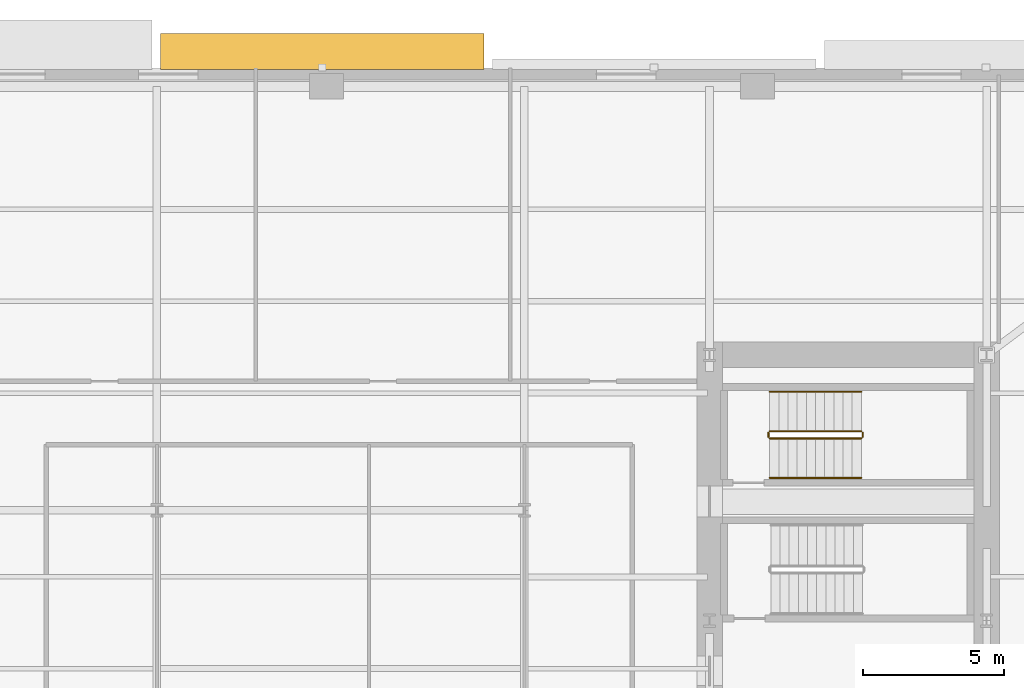
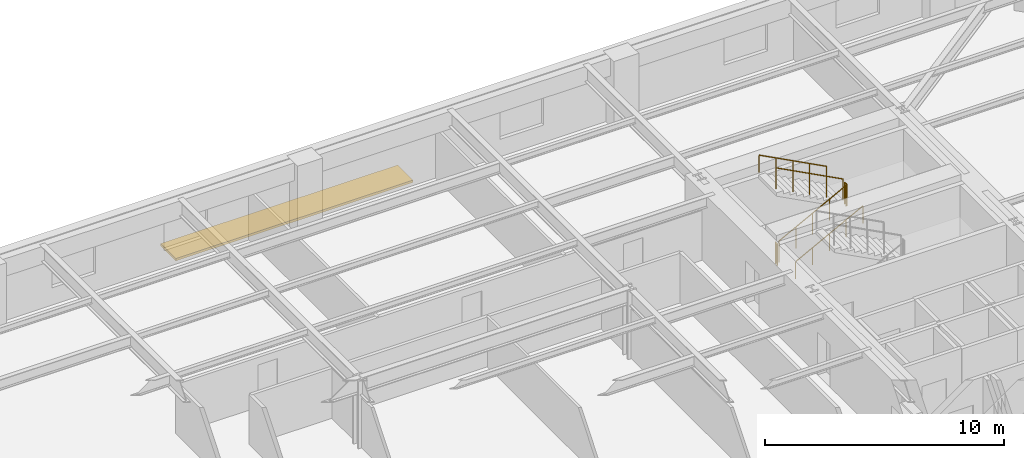
# One storey, part 14 of 15: 6 railings, 1 shading device.
"""IFC4 building model written with IfcOpenShell, lengths in metres."""

import ifcopenshell
import ifcopenshell.guid

model = None  # the IFC model being written
_history = None  # IfcOwnerHistory: only IFC2X3 demands one
_inside = {}  # id of a spatial element -> (the spatial element, [elements in it])
_under = {}  # id of a project, library or spatial element -> (it, [spatial elements below it])
_declared = {}  # id of a project -> (the project, [libraries it declares])
_typed = {}  # id of a type object -> (the type object, [elements of that type])
_made_of = {}  # id of a material, layer set ... -> (it, [elements and type objects made of it])


def new_model(schema):
    """Start an empty IFC model of exactly this schema.

    Asked for "IFC4X3", IfcOpenShell would pick the latest addendum, in which some entities
    have other attributes; the version numbers below select the first issue.
    IFC2X3 requires an IfcOwnerHistory on every rooted entity: one is made here for all.
    """
    global model, _history
    if schema == "IFC4X3":
        model = ifcopenshell.file(schema_version=(4, 3, 0, 0))
    else:
        model = ifcopenshell.file(schema=schema)
    _inside.clear()
    _under.clear()
    _declared.clear()
    _typed.clear()
    _made_of.clear()
    _history = None
    if model.schema == "IFC2X3":
        org = make("IfcOrganization", Name="unknown")
        user = make(
            "IfcPersonAndOrganization",
            ThePerson=make("IfcPerson", FamilyName="unknown"),
            TheOrganization=org,
        )
        app = make(
            "IfcApplication",
            ApplicationDeveloper=org,
            Version="unknown",
            ApplicationFullName="unknown",
            ApplicationIdentifier="unknown",
        )
        _history = make(
            "IfcOwnerHistory",
            OwningUser=user,
            OwningApplication=app,
            ChangeAction="ADDED",
            CreationDate=0,
        )
    return model


def make(cls, **values):
    """One entity of the class cls with the attributes given. An attribute that is None is left unset."""
    return model.create_entity(
        cls, **{name: value for name, value in values.items() if value is not None}
    )


def rooted(cls, **values):
    """An entity with a GlobalId (a new one), such as an element, a storey or a relation."""
    return make(cls, GlobalId=ifcopenshell.guid.new(), OwnerHistory=_history, **values)


def si_unit(unit_type, name, prefix=None):
    """IfcSIUnit, for example si_unit("LENGTHUNIT", "METRE", prefix="MILLI")."""
    return make("IfcSIUnit", UnitType=unit_type, Prefix=prefix, Name=name)


def assignment(units):
    """IfcUnitAssignment: the units of a project."""
    return None if units is None else make("IfcUnitAssignment", Units=units)


def point(xyz):
    """IfcCartesianPoint."""
    return None if xyz is None else make("IfcCartesianPoint", Coordinates=xyz)


def direction(xyz):
    """IfcDirection."""
    return None if xyz is None else make("IfcDirection", DirectionRatios=xyz)


def frame(location, z_axis=None, x_axis=None):
    """IfcAxis2Placement3D, a coordinate frame: its origin and axes. An axis left out is left unset."""
    return make(
        "IfcAxis2Placement3D",
        Location=point(location),
        Axis=direction(z_axis),
        RefDirection=direction(x_axis),
    )


def frame_2d(location, x_axis=None):
    """IfcAxis2Placement2D, a coordinate frame in the plane: its origin and x axis."""
    return make(
        "IfcAxis2Placement2D", Location=point(location), RefDirection=direction(x_axis)
    )


def origin():
    """The frame at (0, 0, 0) with its axes left unset."""
    return frame((0.0, 0.0, 0.0))


def origin_2d():
    """The frame at (0, 0) in the plane with its x axis left unset."""
    return frame_2d((0.0, 0.0))


def place(relative_to, where):
    """IfcLocalPlacement: puts the frame where relative to a parent placement (None: the world)."""
    return make(
        "IfcLocalPlacement", PlacementRelTo=relative_to, RelativePlacement=where
    )


def context(
    kind, dimensions, precision=None, world=None, true_north=None, identifier=None
):
    """IfcGeometricRepresentationContext, for example the 3D "Model" context."""
    return make(
        "IfcGeometricRepresentationContext",
        ContextIdentifier=identifier,
        ContextType=kind,
        CoordinateSpaceDimension=dimensions,
        Precision=precision,
        WorldCoordinateSystem=world,
        TrueNorth=true_north,
    )


def subcontext(parent, identifier, kind, view, scale=None):
    """IfcGeometricRepresentationSubContext, for example "Body" below "Model"."""
    return make(
        "IfcGeometricRepresentationSubContext",
        ContextIdentifier=identifier,
        ContextType=kind,
        ParentContext=parent,
        TargetScale=scale,
        TargetView=view,
    )


def project(units=None, contexts=None):
    """IfcProject with its units and contexts."""
    return rooted(
        "IfcProject",
        Name="project",
        RepresentationContexts=contexts,
        UnitsInContext=assignment(units),
    )


def spatial(cls, under=None, at=None, **own):
    """A site, building, storey or space (cls), placed at a placement, below another one or the project."""
    s = rooted(cls, ObjectPlacement=at, **own)
    if under is not None:
        _under.setdefault(under.id(), (under, []))[1].append(s)
    return s


def profile(cls, at=None, kind="AREA", **sizes):
    """A parametric profile (cls). Its sizes go by their IFC names, for example OverallWidth=200.0."""
    return make(cls, ProfileType=kind, Position=at, **sizes)


def rectangle(**sizes):
    """IfcRectangleProfileDef."""
    return profile("IfcRectangleProfileDef", **sizes)


def circle(**sizes):
    """IfcCircleProfileDef."""
    return profile("IfcCircleProfileDef", **sizes)


def extrude(swept, where, along, depth):
    """IfcExtrudedAreaSolid: the profile swept, set in the frame where, extruded along a direction by depth."""
    return make(
        "IfcExtrudedAreaSolid",
        SweptArea=swept,
        Position=where,
        ExtrudedDirection=direction(along),
        Depth=depth,
    )


def shape(context_of_items, identifier, shape_type, items):
    """IfcShapeRepresentation: the items that make up one representation, for example the "Body"."""
    return make(
        "IfcShapeRepresentation",
        ContextOfItems=context_of_items,
        RepresentationIdentifier=identifier,
        RepresentationType=shape_type,
        Items=items,
    )


def material(Name=None, Category=None):
    """IfcMaterial."""
    return make("IfcMaterial", Name=Name, Category=Category)


def made_of(thing, what):
    """Note that an element or type object is made of a material, layer set ...; save() writes the relation."""
    if what is not None:
        _made_of.setdefault(what.id(), (what, []))[1].append(thing)
    return thing


def type_object(cls, material=None, **own):
    """A type object (cls), such as IfcWallType, which elements share."""
    return made_of(rooted(cls, **own), material)


def element(
    cls,
    number,
    at=None,
    inside=None,
    cuts=None,
    type_object=None,
    material=None,
    context=None,
    identifier="Body",
    shape_type=None,
    held_by="IfcProductDefinitionShape",
    body=None,
    shapes=None,
    **own,
):
    """One element of the class cls, such as IfcWall. Its Tag is "e" and its number.

    at: its placement. inside: the storey or other place that contains it. cuts: it is an
    opening in that element (IfcRelVoidsElement). A single representation is given by context,
    identifier, shape_type and body (its items); several are given by shapes. held_by: the class
    of the entity that holds the representations. save() writes the other relations.
    """
    e = rooted(cls, Tag="e%d" % number, ObjectPlacement=at, **own)
    if body is not None:
        shapes = [shape(context, identifier, shape_type, body)]
    if shapes is not None:
        e.Representation = make(held_by, Representations=shapes)
    if inside is not None:
        _inside.setdefault(inside.id(), (inside, []))[1].append(e)
    if cuts is not None:
        rooted(
            "IfcRelVoidsElement", RelatingBuildingElement=cuts, RelatedOpeningElement=e
        )
    if type_object is not None:
        _typed.setdefault(type_object.id(), (type_object, []))[1].append(e)
    return made_of(e, material)


def aggregate(whole, parts):
    """IfcRelAggregates: a whole, such as a stair, and the parts it consists of."""
    return rooted("IfcRelAggregates", RelatingObject=whole, RelatedObjects=parts)


def save(model, path):
    """Write the relations noted so far, then the file.

    IfcRelAggregates (storeys below a building ...), IfcRelContainedInSpatialStructure (elements
    in a storey), IfcRelDefinesByType, IfcRelAssociatesMaterial and IfcRelDeclares: one each for
    every whole, place, type object, material and project.
    """
    for whole, parts in _under.values():
        aggregate(whole, parts)
    for where, things in _inside.values():
        rooted(
            "IfcRelContainedInSpatialStructure",
            RelatedElements=things,
            RelatingStructure=where,
        )
    for kind, things in _typed.values():
        rooted("IfcRelDefinesByType", RelatedObjects=things, RelatingType=kind)
    for what, things in _made_of.values():
        rooted("IfcRelAssociatesMaterial", RelatedObjects=things, RelatingMaterial=what)
    for by, libraries in _declared.values():
        rooted("IfcRelDeclares", RelatingContext=by, RelatedDefinitions=libraries)
    model.write(path)


model = new_model("IFC4")

# Units and contexts
model_context = context("Model", 3, precision=1e-05, world=origin(), true_north=direction((0.0, 1.0)))
body_context = subcontext(model_context, "Body", "Model", "MODEL_VIEW")
ifc_project = project(units=[si_unit("LENGTHUNIT", "METRE"), si_unit("AREAUNIT", "SQUARE_METRE"), si_unit("VOLUMEUNIT", "CUBIC_METRE"), si_unit("PLANEANGLEUNIT", "RADIAN"), si_unit("MASSUNIT", "GRAM", prefix="KILO")], contexts=[model_context])

# Site, building, storey
site_placement = place(None, origin())
site = spatial("IfcSite", under=ifc_project, at=site_placement, CompositionType="ELEMENT")
building_placement = place(site_placement, origin())
building = spatial("IfcBuilding", under=site, at=building_placement, Name="Kolvaren Arena Tower", CompositionType="ELEMENT")
storey_placement = place(building_placement, frame((0.0, 0.0, 49.5)))
storey = spatial("IfcBuildingStorey", under=building, at=storey_placement, Name="L09", CompositionType="ELEMENT", Elevation=49.5)

# Railings
ifc_material_1 = material(Name="Painted galvanized steel", Category="steel")
railing_type_1 = type_object("IfcRailingType", Name="GUARD-ST-110", PredefinedType="GUARDRAIL", material=ifc_material_1)
railing_1_placement = place(storey_placement, frame((52.679931640625, 36.39990234375, 0.17041015625)))
element("IfcRailing", 1, at=railing_1_placement, inside=storey, type_object=railing_type_1, Name="L09 ST-E2 stair guard 1", PredefinedType="GUARDRAIL", context=body_context, shape_type="SweptSolid", body=[
    extrude(circle(Radius=0.02392578125, at=origin_2d()), frame((0.0, 0.0, 1.076171875), z_axis=(0.884993431791, 0.0, 0.465603506952), x_axis=(0.0, 1.0, 0.0)), (0.0, 0.0, 1.0), 3.6611328125),
    extrude(circle(Radius=0.02099609375, at=origin_2d()), origin(), (0.0, 0.0, 1.0), 1.052001953125),
    extrude(circle(Radius=0.02099609375, at=origin_2d()), frame((0.81005859375, 0.0, 0.42626953125)), (0.0, 0.0, 1.0), 1.052001953125),
    extrude(circle(Radius=0.02099609375, at=origin_2d()), frame((1.6201171875, 0.0, 0.852294921875)), (0.0, 0.0, 1.0), 1.052001953125),
    extrude(circle(Radius=0.02099609375, at=origin_2d()), frame((2.429931640625, 0.0, 1.2783203125)), (0.0, 0.0, 1.0), 1.052001953125),
    extrude(circle(Radius=0.02099609375, at=origin_2d()), frame((3.239990234375, 0.0, 1.70458984375)), (0.0, 0.0, 1.0), 1.052001953125),
])
railing_2_placement = place(storey_placement, frame((55.969970703125, 36.449951171875, 1.875)))
element("IfcRailing", 2, at=railing_2_placement, inside=storey, type_object=railing_type_1, Name="L09 ST-E2 stair guard 2", PredefinedType="GUARDRAIL", context=body_context, shape_type="SweptSolid", body=[
    extrude(circle(Radius=0.02392578125, at=origin_2d()), frame((0.0, 0.0, 1.076171875), z_axis=(0.0, 1.0, 0.0), x_axis=(-1.0, 0.0, 0.0)), (0.0, 0.0, 1.0), 0.150146484375),
    extrude(circle(Radius=0.02099609375, at=origin_2d()), origin(), (0.0, 0.0, 1.0), 1.052001953125),
    extrude(circle(Radius=0.02099609375, at=origin_2d()), frame((0.0, 0.150146484375, 0.0)), (0.0, 0.0, 1.0), 1.052001953125),
])
railing_3_placement = place(storey_placement, frame((55.919921875, 36.64990234375, 2.04541015625)))
element("IfcRailing", 3, at=railing_3_placement, inside=storey, type_object=railing_type_1, Name="L09 ST-E2 stair guard 3", PredefinedType="GUARDRAIL", context=body_context, shape_type="SweptSolid", body=[
    extrude(circle(Radius=0.02392578125, at=origin_2d()), frame((0.0, 0.0, 1.076171875), z_axis=(-0.884993431791, 0.0, 0.465603506952), x_axis=(0.0, -1.0, 0.0)), (0.0, 0.0, 1.0), 3.6611328125),
    extrude(circle(Radius=0.02099609375, at=origin_2d()), origin(), (0.0, 0.0, 1.0), 1.052001953125),
    extrude(circle(Radius=0.02099609375, at=origin_2d()), frame((-0.81005859375, 0.0, 0.42626953125)), (0.0, 0.0, 1.0), 1.052001953125),
    extrude(circle(Radius=0.02099609375, at=origin_2d()), frame((-1.6201171875, 0.0, 0.852294921875)), (0.0, 0.0, 1.0), 1.052001953125),
    extrude(circle(Radius=0.02099609375, at=origin_2d()), frame((-2.429931640625, 0.0, 1.2783203125)), (0.0, 0.0, 1.0), 1.052001953125),
    extrude(circle(Radius=0.02099609375, at=origin_2d()), frame((-3.239990234375, 0.0, 1.70458984375)), (0.0, 0.0, 1.0), 1.052001953125),
])
railing_4_placement = place(storey_placement, frame((52.6298828125, 36.449951171875, 0.0)))
element("IfcRailing", 4, at=railing_4_placement, inside=storey, type_object=railing_type_1, Name="L09 ST-E2 stair guard 4", PredefinedType="GUARDRAIL", context=body_context, shape_type="SweptSolid", body=[
    extrude(circle(Radius=0.02392578125, at=origin_2d()), frame((0.0, 0.0, 1.076171875), z_axis=(0.0, 1.0, 0.0), x_axis=(-1.0, 0.0, 0.0)), (0.0, 0.0, 1.0), 0.150146484375),
    extrude(circle(Radius=0.02099609375, at=origin_2d()), origin(), (0.0, 0.0, 1.0), 1.052001953125),
    extrude(circle(Radius=0.02099609375, at=origin_2d()), frame((0.0, 0.150146484375, 0.0)), (0.0, 0.0, 1.0), 1.052001953125),
])
ifc_material_2 = material(Name="Brushed stainless steel handrail", Category="steel")
railing_type_2 = type_object("IfcRailingType", Name="HRAIL-900", PredefinedType="HANDRAIL", material=ifc_material_2)
railing_5_placement = place(storey_placement, frame((52.679931640625, 35.0, 0.17041015625)))
element("IfcRailing", 5, at=railing_5_placement, inside=storey, type_object=railing_type_2, Name="L09 ST-E2 stair handrail 1", PredefinedType="HANDRAIL", context=body_context, shape_type="SweptSolid", body=[
    extrude(circle(Radius=0.02392578125, at=origin_2d()), frame((0.0, 0.0, 0.8759765625), z_axis=(0.884993431791, 0.0, 0.465603506952), x_axis=(0.0, 1.0, 0.0)), (0.0, 0.0, 1.0), 3.6611328125),
    extrude(circle(Radius=0.02099609375, at=origin_2d()), origin(), (0.0, 0.0, 1.0), 0.851806640625),
    extrude(circle(Radius=0.02099609375, at=origin_2d()), frame((0.81005859375, 0.0, 0.42626953125)), (0.0, 0.0, 1.0), 0.851806640625),
    extrude(circle(Radius=0.02099609375, at=origin_2d()), frame((1.6201171875, 0.0, 0.852294921875)), (0.0, 0.0, 1.0), 0.851806640625),
    extrude(circle(Radius=0.02099609375, at=origin_2d()), frame((2.429931640625, 0.0, 1.2783203125)), (0.0, 0.0, 1.0), 0.851806640625),
    extrude(circle(Radius=0.02099609375, at=origin_2d()), frame((3.239990234375, 0.0, 1.70458984375)), (0.0, 0.0, 1.0), 0.851806640625),
])
railing_6_placement = place(storey_placement, frame((55.919921875, 38.050048828125, 2.04541015625)))
element("IfcRailing", 6, at=railing_6_placement, inside=storey, type_object=railing_type_2, Name="L09 ST-E2 stair handrail 2", PredefinedType="HANDRAIL", context=body_context, shape_type="SweptSolid", body=[
    extrude(circle(Radius=0.02392578125, at=origin_2d()), frame((0.0, 0.0, 0.8759765625), z_axis=(-0.884993431791, 0.0, 0.465603506952), x_axis=(0.0, -1.0, 0.0)), (0.0, 0.0, 1.0), 3.6611328125),
    extrude(circle(Radius=0.02099609375, at=origin_2d()), origin(), (0.0, 0.0, 1.0), 0.851806640625),
    extrude(circle(Radius=0.02099609375, at=origin_2d()), frame((-0.81005859375, 0.0, 0.42626953125)), (0.0, 0.0, 1.0), 0.851806640625),
    extrude(circle(Radius=0.02099609375, at=origin_2d()), frame((-1.6201171875, 0.0, 0.852294921875)), (0.0, 0.0, 1.0), 0.851806640625),
    extrude(circle(Radius=0.02099609375, at=origin_2d()), frame((-2.429931640625, 0.0, 1.2783203125)), (0.0, 0.0, 1.0), 0.851806640625),
    extrude(circle(Radius=0.02099609375, at=origin_2d()), frame((-3.239990234375, 0.0, 1.70458984375)), (0.0, 0.0, 1.0), 0.851806640625),
])

# Shading device
ifc_material_3 = material(Name="Architectural precast GFRC and anodised aluminium sunshade", Category="concrete")
shading_device_type = type_object("IfcShadingDeviceType", Name="SHAD-SINE-B", PredefinedType="JALOUSIE", material=ifc_material_3)
shading_device_placement = place(storey_placement, frame((36.85009765625, 50.0859375, -0.14013671875), z_axis=(0.0, 0.0, 1.0), x_axis=(1.0, 0.0, 0.0)))
element("IfcShadingDevice", 7, at=shading_device_placement, inside=storey, type_object=shading_device_type, Name="Sinusoidal Slab-Edge Sunshade Louvre (L09)", PredefinedType="JALOUSIE", context=body_context, shape_type="SweptSolid", body=[
    extrude(rectangle(XDim=11.43994140625, YDim=1.271728515625, at=origin_2d()), origin(), (0.0, 0.0, 1.0), 0.1201171875),
])

save(model, "model.ifc")
